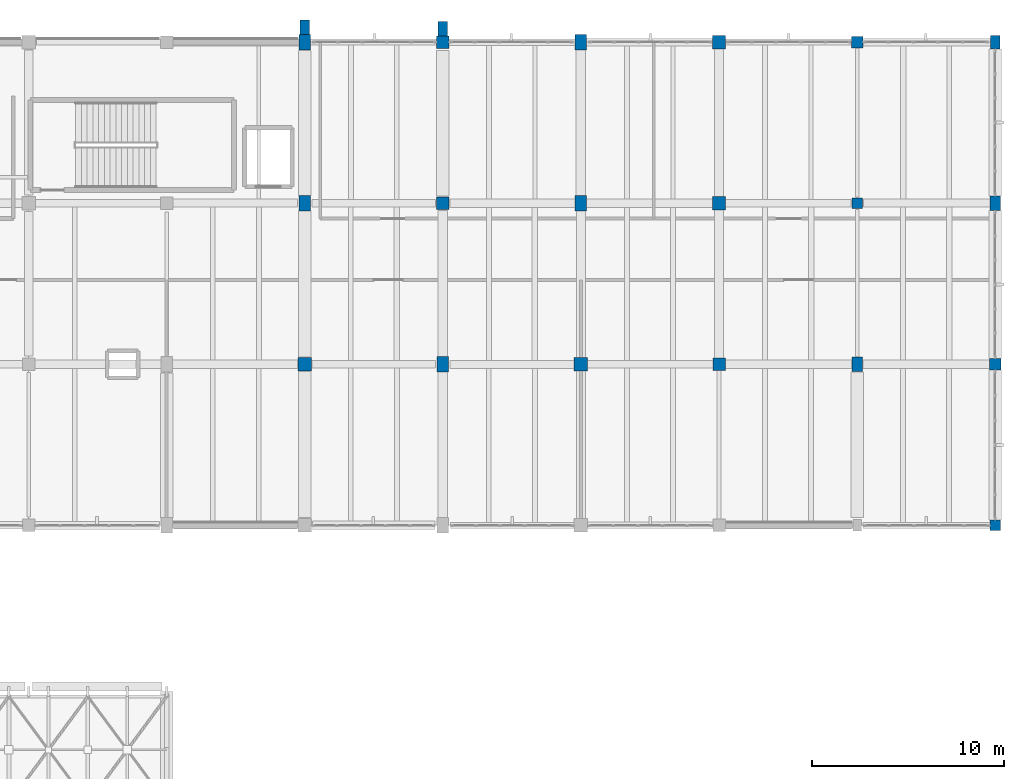
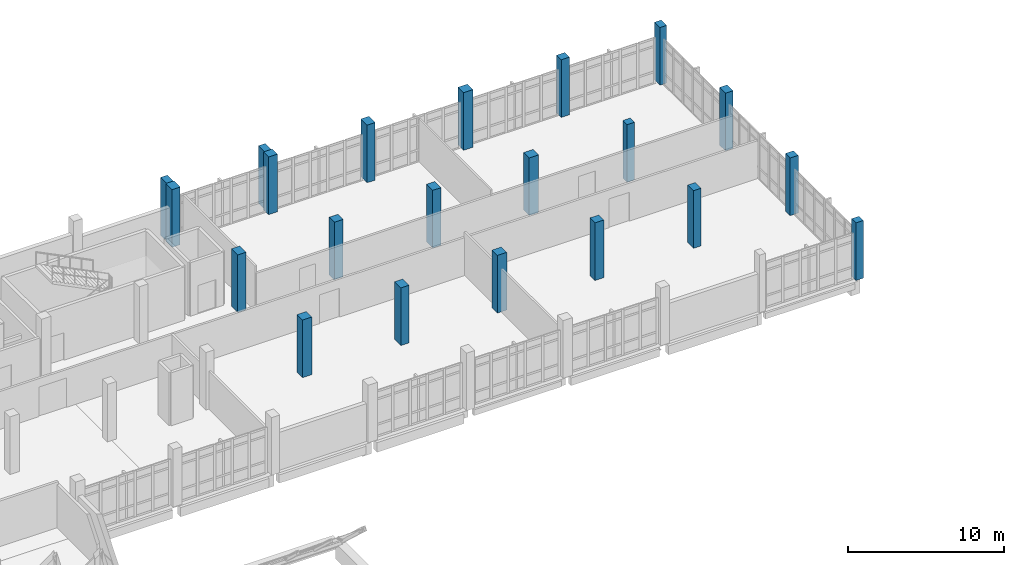
# One storey, part 2 of 87: 21 columns.
"""IFC4 building model written with IfcOpenShell, lengths in metres."""

from ifc_helpers import new_model, si_unit, direction, frame, origin, origin_2d, place, context, subcontext, project, spatial, rectangle, extrude, material, material_profile, profile_set, type_object, element, save


model = new_model("IFC4")

# Units and contexts
model_context = context("Model", 3, precision=1e-05, world=origin(), true_north=direction((0.0, 1.0)))
body_context = subcontext(model_context, "Body", "Model", "MODEL_VIEW")
ifc_project = project(units=[si_unit("LENGTHUNIT", "METRE"), si_unit("AREAUNIT", "SQUARE_METRE"), si_unit("VOLUMEUNIT", "CUBIC_METRE"), si_unit("PLANEANGLEUNIT", "RADIAN"), si_unit("MASSUNIT", "GRAM", prefix="KILO")], contexts=[model_context])

# Site, building, storey
site_placement = place(None, origin())
site = spatial("IfcSite", under=ifc_project, at=site_placement, CompositionType="ELEMENT")
building_placement = place(site_placement, origin())
building = spatial("IfcBuilding", under=site, at=building_placement, Name="Kalluvel Institute of Natural Sciences", CompositionType="ELEMENT")
storey_placement = place(building_placement, frame((0.0, 0.0, 18.89990234375)))
storey = spatial("IfcBuildingStorey", under=building, at=storey_placement, Name="L04", CompositionType="ELEMENT", Elevation=18.89990234375)

# Columns
ifc_material_1 = material(Name="Concrete M40", Category="concrete")
ifc_material_profile_1 = material_profile(ifc_material_1, rectangle(XDim=0.5, YDim=0.699951171875, at=origin_2d()), Name="RC 500x700")
ifc_profile_set_1 = profile_set([ifc_material_profile_1], Name="Concrete M40")
column_type_1 = type_object("IfcColumnType", Name="COL-RC500x700", PredefinedType="COLUMN", material=ifc_profile_set_1)
column_placement = place(storey_placement, frame((114.800048828125, 128.0, 0.0), z_axis=(0.0, 0.0, 1.0), x_axis=(1.0, 0.0, 0.0)))
element("IfcColumn", 1, at=column_placement, inside=storey, type_object=column_type_1, Name="L04 structural column COL-L04-X1148-Y1280", PredefinedType="COLUMN", context=body_context, shape_type="SweptSolid", body=[
    extrude(rectangle(XDim=0.5, YDim=0.699951171875, at=origin_2d()), origin(), (0.0, 0.0, 1.0), 4.5),
])
ifc_material_profile_2 = material_profile(ifc_material_1, rectangle(XDim=0.550048828125, YDim=0.550048828125, at=origin_2d()), Name="RC 550x550")
ifc_profile_set_2 = profile_set([ifc_material_profile_2], Name="Concrete M40")
column_type_2 = type_object("IfcColumnType", Name="COL-RC550", PredefinedType="COLUMN", material=ifc_profile_set_2)
for number, where, z_axis, x_axis, name in (
    (2, (107.60009765625, 119.60009765625, 0.0), (0.0, 0.0, 1.0), (1.0, 0.0, 0.0), "L04 structural column COL-L04-X1076-Y1196"),
    (3, (114.800048828125, 102.800048828125, 0.0), (0.0, 0.0, 1.0), (1.0, 0.0, 0.0), "L04 structural column COL-L04-X1148-Y1028"),
):
    element("IfcColumn", number, at=place(storey_placement, frame(where, z_axis=z_axis, x_axis=x_axis)), inside=storey, type_object=column_type_2, Name=name, PredefinedType="COLUMN", context=body_context, shape_type="SweptSolid", body=[
        extrude(rectangle(XDim=0.550048828125, YDim=0.550048828125, at=origin_2d()), origin(), (0.0, 0.0, 1.0), 4.5),
    ])
ifc_material_profile_3 = material_profile(ifc_material_1, rectangle(XDim=0.550048828125, YDim=0.75, at=origin_2d()), Name="RC 550x750")
ifc_profile_set_3 = profile_set([ifc_material_profile_3], Name="Concrete M40")
column_type_3 = type_object("IfcColumnType", Name="COL-RC550x750", PredefinedType="COLUMN", material=ifc_profile_set_3)
for number, where, z_axis, x_axis, name in (
    (4, (107.60009765625, 111.199951171875, 0.0), (0.0, 0.0, 1.0), (1.0, 0.0, 0.0), "L04 structural column COL-L04-X1076-Y1112"),
    (5, (114.800048828125, 119.60009765625, 0.0), (0.0, 0.0, 1.0), (1.0, 0.0, 0.0), "L04 structural column COL-L04-X1148-Y1196"),
):
    element("IfcColumn", number, at=place(storey_placement, frame(where, z_axis=z_axis, x_axis=x_axis)), inside=storey, type_object=column_type_3, Name=name, PredefinedType="COLUMN", context=body_context, shape_type="SweptSolid", body=[
        extrude(rectangle(XDim=0.550048828125, YDim=0.75, at=origin_2d()), origin(), (0.0, 0.0, 1.0), 4.5),
    ])
ifc_material_profile_4 = material_profile(ifc_material_1, rectangle(XDim=0.60009765625, YDim=0.60009765625, at=origin_2d()), Name="RC 600x600")
ifc_profile_set_4 = profile_set([ifc_material_profile_4], Name="Concrete M40")
column_type_4 = type_object("IfcColumnType", Name="COL-RC600", PredefinedType="COLUMN", material=ifc_profile_set_4)
for number, where, z_axis, x_axis, name in (
    (6, (107.60009765625, 128.0, 0.0), (0.0, 0.0, 1.0), (1.0, 0.0, 0.0), "L04 structural column COL-L04-X1076-Y1280"),
    (7, (114.800048828125, 111.199951171875, 0.0), (0.0, 0.0, 1.0), (1.0, 0.0, 0.0), "L04 structural column COL-L04-X1148-Y1112"),
):
    element("IfcColumn", number, at=place(storey_placement, frame(where, z_axis=z_axis, x_axis=x_axis)), inside=storey, type_object=column_type_4, Name=name, PredefinedType="COLUMN", context=body_context, shape_type="SweptSolid", body=[
        extrude(rectangle(XDim=0.60009765625, YDim=0.60009765625, at=origin_2d()), origin(), (0.0, 0.0, 1.0), 4.5),
    ])
ifc_material_2 = material(Name="Concrete M50", Category="concrete")
ifc_material_profile_5 = material_profile(ifc_material_2, rectangle(XDim=0.60009765625, YDim=0.800048828125, at=origin_2d()), Name="RC 600x800")
ifc_profile_set_5 = profile_set([ifc_material_profile_5], Name="Concrete M50")
column_type_5 = type_object("IfcColumnType", Name="COL-RC600x800", PredefinedType="COLUMN", material=ifc_profile_set_5)
for number, where, z_axis, x_axis, name in (
    (8, (78.800048828125, 119.60009765625, 0.0), (0.0, 0.0, 1.0), (1.0, 0.0, 0.0), "L04 structural column COL-L04-X788-Y1196"),
    (9, (78.800048828125, 128.0, 0.0), (0.0, 0.0, 1.0), (1.0, 0.0, 0.0), "L04 structural column COL-L04-X788-Y1280"),
    (10, (86.0, 111.199951171875, 0.0), (0.0, 0.0, 1.0), (1.0, 0.0, 0.0), "L04 structural column COL-L04-X860-Y1112"),
    (11, (93.199951171875, 119.60009765625, 0.0), (0.0, 0.0, 1.0), (1.0, 0.0, 0.0), "L04 structural column COL-L04-X932-Y1196"),
    (12, (93.199951171875, 128.0, 0.0), (0.0, 0.0, 1.0), (1.0, 0.0, 0.0), "L04 structural column COL-L04-X932-Y1280"),
):
    element("IfcColumn", number, at=place(storey_placement, frame(where, z_axis=z_axis, x_axis=x_axis)), inside=storey, type_object=column_type_5, Name=name, PredefinedType="COLUMN", context=body_context, shape_type="SweptSolid", body=[
        extrude(rectangle(XDim=0.60009765625, YDim=0.800048828125, at=origin_2d()), origin(), (0.0, 0.0, 1.0), 4.5),
    ])
ifc_material_profile_6 = material_profile(ifc_material_1, rectangle(XDim=0.64990234375, YDim=0.64990234375, at=origin_2d()), Name="RC 650x650")
ifc_profile_set_6 = profile_set([ifc_material_profile_6], Name="Concrete M40")
column_type_6 = type_object("IfcColumnType", Name="COL-RC650", PredefinedType="COLUMN", material=ifc_profile_set_6)
for number, where, z_axis, x_axis, name in (
    (13, (86.0, 119.60009765625, 0.0), (0.0, 0.0, 1.0), (1.0, 0.0, 0.0), "L04 structural column COL-L04-X860-Y1196"),
    (14, (86.0, 128.0, 0.0), (0.0, 0.0, 1.0), (1.0, 0.0, 0.0), "L04 structural column COL-L04-X860-Y1280"),
    (15, (100.39990234375, 111.199951171875, 0.0), (0.0, 0.0, 1.0), (1.0, 0.0, 0.0), "L04 structural column COL-L04-X1004-Y1112"),
):
    element("IfcColumn", number, at=place(storey_placement, frame(where, z_axis=z_axis, x_axis=x_axis)), inside=storey, type_object=column_type_6, Name=name, PredefinedType="COLUMN", context=body_context, shape_type="SweptSolid", body=[
        extrude(rectangle(XDim=0.64990234375, YDim=0.64990234375, at=origin_2d()), origin(), (0.0, 0.0, 1.0), 4.5),
    ])
ifc_material_profile_7 = material_profile(ifc_material_1, rectangle(XDim=0.699951171875, YDim=0.699951171875, at=origin_2d()), Name="RC 700x700")
ifc_profile_set_7 = profile_set([ifc_material_profile_7], Name="Concrete M40")
column_type_7 = type_object("IfcColumnType", Name="COL-RC700", PredefinedType="COLUMN", material=ifc_profile_set_7)
for number, where, z_axis, x_axis, name in (
    (16, (78.800048828125, 111.199951171875, 0.0), (0.0, 0.0, 1.0), (1.0, 0.0, 0.0), "L04 structural column COL-L04-X788-Y1112"),
    (17, (93.199951171875, 111.199951171875, 0.0), (0.0, 0.0, 1.0), (1.0, 0.0, 0.0), "L04 structural column COL-L04-X932-Y1112"),
    (18, (100.39990234375, 119.60009765625, 0.0), (0.0, 0.0, 1.0), (1.0, 0.0, 0.0), "L04 structural column COL-L04-X1004-Y1196"),
    (19, (100.39990234375, 128.0, 0.0), (0.0, 0.0, 1.0), (1.0, 0.0, 0.0), "L04 structural column COL-L04-X1004-Y1280"),
):
    element("IfcColumn", number, at=place(storey_placement, frame(where, z_axis=z_axis, x_axis=x_axis)), inside=storey, type_object=column_type_7, Name=name, PredefinedType="COLUMN", context=body_context, shape_type="SweptSolid", body=[
        extrude(rectangle(XDim=0.699951171875, YDim=0.699951171875, at=origin_2d()), origin(), (0.0, 0.0, 1.0), 4.5),
    ])
ifc_material_3 = material(Name="Sadarahalli Granite Precast Concrete M45", Category="masonry")
ifc_material_profile_8 = material_profile(ifc_material_3, rectangle(XDim=0.5, YDim=0.75, at=origin_2d()), Name="PIL 500x750")
ifc_profile_set_8 = profile_set([ifc_material_profile_8], Name="Sadarahalli Granite Precast Concrete M45")
column_type_8 = type_object("IfcColumnType", Name="PIL-500x750", PredefinedType="PILASTER", material=ifc_profile_set_8)
for number, where, z_axis, x_axis, name in (
    (20, (78.800048828125, 128.778076171875, 0.0), (0.0, 0.0, 1.0), (1.0, 0.0, 0.0), "L04 Gothic stepped Sadarahalli granite buttress 56"),
    (21, (86.0, 128.702880859375, 0.0), (0.0, 0.0, 1.0), (1.0, 0.0, 0.0), "L04 Gothic stepped Sadarahalli granite buttress 66"),
):
    element("IfcColumn", number, at=place(storey_placement, frame(where, z_axis=z_axis, x_axis=x_axis)), inside=storey, type_object=column_type_8, Name=name, PredefinedType="PILASTER", context=body_context, shape_type="SweptSolid", body=[
        extrude(rectangle(XDim=0.5, YDim=0.75, at=origin_2d()), origin(), (0.0, 0.0, 1.0), 4.5),
    ])

save(model, "model.ifc")
